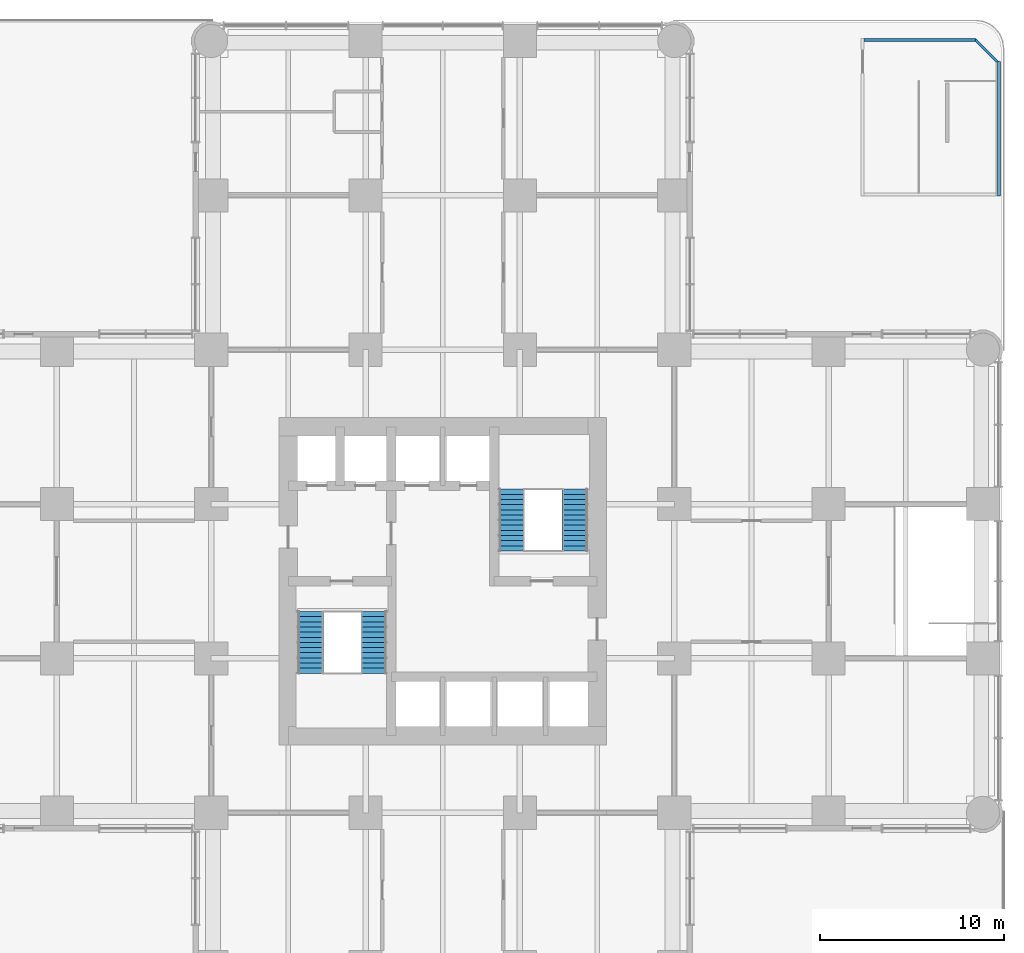
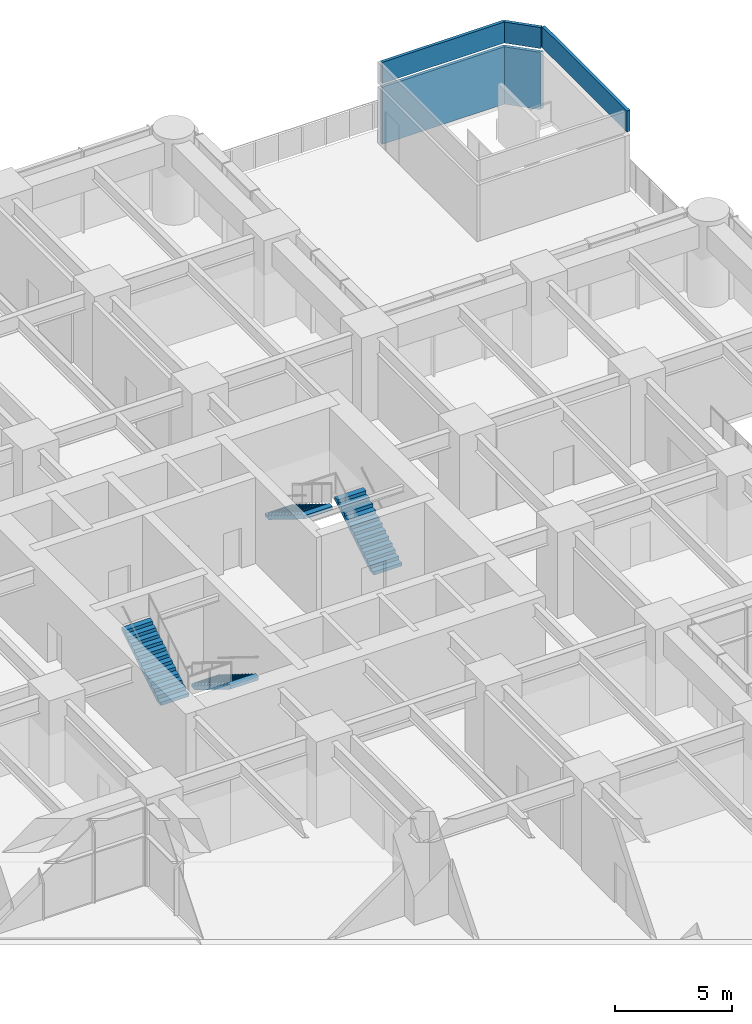
# One storey, part 13 of 21: 5 walls, 4 stair flights, 2 elements without a shape of their own.
"""IFC4 building model written with IfcOpenShell, lengths in metres."""

from ifc_helpers import new_model, si_unit, direction, frame, frame_2d, origin, place, context, subcontext, project, spatial, polyline, rectangle, outline, extrude, material, layer, layer_set, type_object, element, aggregate, save


model = new_model("IFC4")

# Units and contexts
model_context = context("Model", 3, precision=1e-05, world=origin(), true_north=direction((0.0, 1.0)))
body_context = subcontext(model_context, "Body", "Model", "MODEL_VIEW")
ifc_project = project(units=[si_unit("LENGTHUNIT", "METRE"), si_unit("AREAUNIT", "SQUARE_METRE"), si_unit("VOLUMEUNIT", "CUBIC_METRE"), si_unit("PLANEANGLEUNIT", "RADIAN"), si_unit("MASSUNIT", "GRAM", prefix="KILO")], contexts=[model_context])

# Site, building, storey
site_placement = place(None, origin())
site = spatial("IfcSite", under=ifc_project, at=site_placement, CompositionType="ELEMENT")
building_placement = place(site_placement, origin())
building = spatial("IfcBuilding", under=site, at=building_placement, Name="Torre Alcanfor", CompositionType="ELEMENT")
storey_placement = place(building_placement, frame((0.0, 0.0, 24.0)))
storey = spatial("IfcBuildingStorey", under=building, at=storey_placement, Name="L05", CompositionType="ELEMENT", Elevation=24.0)

# Walls
ifc_material_1 = material(Name="Concrete f'c 35 MPa", Category="concrete")
ifc_layer_1 = layer(ifc_material_1, 0.14990234375)
ifc_layer_set_1 = layer_set([ifc_layer_1], Name="Head-house parapet 150")
wall_type_1 = type_object("IfcWallType", Name="Head-house parapet 150", PredefinedType="PARAPET", material=ifc_layer_set_1)
wall_1_placement = place(storey_placement, frame((59.675048828125, 50.375, 3.199951171875), z_axis=(0.0, 0.0, 1.0), x_axis=(0.0, 1.0, 0.0)))
element("IfcWall", 1, at=wall_1_placement, inside=storey, type_object=wall_type_1, Name="Head-house parapet SS4 east", PredefinedType="PARAPET", context=body_context, shape_type="SweptSolid", body=[
    extrude(rectangle(XDim=7.300048828125, YDim=0.14990234375, at=frame_2d((3.64990234375, 0.0))), origin(), (0.0, 0.0, 1.0), 1.10009765625),
])
wall_2_placement = place(storey_placement, frame((59.574951171875, 57.675048828125, 3.199951171875), z_axis=(0.0, 0.0, 1.0), x_axis=(-0.707106781187, 0.707106781187, 0.0)))
element("IfcWall", 2, at=wall_2_placement, inside=storey, type_object=wall_type_1, Name="Head-house parapet SS4 north-east", PredefinedType="PARAPET", context=body_context, shape_type="SweptSolid", body=[
    extrude(rectangle(XDim=1.661865234375, YDim=0.14990234375, at=frame_2d((0.8310546875, 0.0))), origin(), (0.0, 0.0, 1.0), 1.10009765625),
])
wall_3_placement = place(storey_placement, frame((52.324951171875, 58.85009765625, 3.199951171875), z_axis=(0.0, 0.0, 1.0), x_axis=(1.0, 0.0, 0.0)))
element("IfcWall", 3, at=wall_3_placement, inside=storey, type_object=wall_type_1, Name="Head-house parapet SS4 north", PredefinedType="PARAPET", context=body_context, shape_type="SweptSolid", body=[
    extrude(rectangle(XDim=6.074951171875, YDim=0.14990234375, at=frame_2d((3.03759765625, 0.0))), origin(), (0.0, 0.0, 1.0), 1.10009765625),
])
ifc_material_2 = material(Name="Concrete f'c 35 MPa", Category="concrete")
ifc_layer_2 = layer(ifc_material_2, 0.14990234375)
ifc_layer_set_2 = layer_set([ifc_layer_2], Name="Stair head-house wall 150 EI 120")
wall_type_2 = type_object("IfcWallType", Name="Stair head-house wall 150 EI 120", PredefinedType="SOLIDWALL", material=ifc_layer_set_2)
wall_4_placement = place(storey_placement, origin())
element("IfcWall", 4, at=wall_4_placement, inside=storey, type_object=wall_type_2, Name="Stair head-house wall SS4 north-east", PredefinedType="SOLIDWALL", context=body_context, shape_type="SweptSolid", body=[
    extrude(outline(polyline([(58.39990234375, 58.925048828125), (58.39990234375, 58.77490234375), (58.368896484375, 58.77490234375), (59.5, 57.643798828125), (59.5, 57.675048828125), (59.68115234375, 57.675048828125), (58.452880859375, 58.903076171875), (58.39990234375, 58.925048828125)])), origin(), (0.0, 0.0, 1.0), 3.0),
])
wall_5_placement = place(storey_placement, frame((52.324951171875, 58.85009765625, 0.0), z_axis=(0.0, 0.0, 1.0), x_axis=(1.0, 0.0, 0.0)))
element("IfcWall", 5, at=wall_5_placement, inside=storey, type_object=wall_type_2, Name="Stair head-house wall SS4 north", PredefinedType="SOLIDWALL", context=body_context, shape_type="SweptSolid", body=[
    extrude(rectangle(XDim=6.074951171875, YDim=0.14990234375, at=frame_2d((3.03759765625, 0.0))), origin(), (0.0, 0.0, 1.0), 3.0),
])

# Stair, stair flights
ifc_material_3 = material(Name="Concrete f'c 35 MPa", Category="concrete")
stair_type_1 = type_object("IfcStairType", Name="Exit stair S1 1400 wide", PredefinedType="HALF_TURN_STAIR", material=ifc_material_3)
stair_1_placement = place(storey_placement, origin())
stair_1 = element("IfcStair", 6, at=stair_1_placement, inside=storey, type_object=stair_type_1, Name="Stair S1 L05 to L06", PredefinedType="HALF_TURN_STAIR")
ifc_material_4 = material(Name="Concrete f'c 35 MPa", Category="concrete")
stair_flight_type = type_object("IfcStairFlightType", Name="Stair flight 1400", PredefinedType="STRAIGHT", material=ifc_material_4)
stair_flight_1_placement = place(storey_placement, frame((25.64990234375, 27.75, 0.0), z_axis=(0.0, 0.0, 1.0), x_axis=(0.0, -1.0, 0.0)))
stair_flight_1 = element("IfcStairFlight", 7, at=stair_flight_1_placement, type_object=stair_flight_type, Name="S1 flight 1", NumberOfRisers=13, NumberOfTreads=12, PredefinedType="STRAIGHT", RiserHeight=0.173076923, TreadLength=0.28, context=body_context, shape_type="SweptSolid", body=[
    extrude(outline(polyline([(0.0, 0.0), (0.0, 0.173095703125), (0.280029296875, 0.173095703125), (0.280029296875, 0.34619140625), (0.56005859375, 0.34619140625), (0.56005859375, 0.519287109375), (0.840087890625, 0.519287109375), (0.840087890625, 0.6923828125), (1.1201171875, 0.6923828125), (1.1201171875, 0.865478515625), (1.39990234375, 0.865478515625), (1.39990234375, 1.03857421875), (1.679931640625, 1.03857421875), (1.679931640625, 1.21142578125), (1.9599609375, 1.21142578125), (1.9599609375, 1.384521484375), (2.239990234375, 1.384521484375), (2.239990234375, 1.5576171875), (2.52001953125, 1.5576171875), (2.52001953125, 1.730712890625), (2.800048828125, 1.730712890625), (2.800048828125, 1.90380859375), (3.080078125, 1.90380859375), (3.080078125, 2.076904296875), (3.360107421875, 2.076904296875), (3.360107421875, 2.25), (3.360107421875, 1.900634765625), (0.28515625, 0.0), (0.0, 0.0)])), frame((0.0, 0.699951171875, 0.0), z_axis=(0.0, -1.0, 0.0), x_axis=(1.0, 0.0, 0.0)), (0.0, 0.0, 1.0), 1.39990234375),
])
stair_flight_2_placement = place(storey_placement, frame((22.199951171875, 24.389892578125, 2.25), z_axis=(0.0, 0.0, 1.0), x_axis=(0.0, 1.0, 0.0)))
stair_flight_2 = element("IfcStairFlight", 8, at=stair_flight_2_placement, type_object=stair_flight_type, Name="S1 flight 2", NumberOfRisers=13, NumberOfTreads=12, PredefinedType="STRAIGHT", RiserHeight=0.173076923, TreadLength=0.28, context=body_context, shape_type="SweptSolid", body=[
    extrude(outline(polyline([(0.0, 0.0), (0.0, 0.173095703125), (0.280029296875, 0.173095703125), (0.280029296875, 0.34619140625), (0.56005859375, 0.34619140625), (0.56005859375, 0.519287109375), (0.840087890625, 0.519287109375), (0.840087890625, 0.6923828125), (1.1201171875, 0.6923828125), (1.1201171875, 0.865478515625), (1.39990234375, 0.865478515625), (1.39990234375, 1.03857421875), (1.679931640625, 1.03857421875), (1.679931640625, 1.21142578125), (1.9599609375, 1.21142578125), (1.9599609375, 1.384521484375), (2.239990234375, 1.384521484375), (2.239990234375, 1.5576171875), (2.52001953125, 1.5576171875), (2.52001953125, 1.730712890625), (2.800048828125, 1.730712890625), (2.800048828125, 1.90380859375), (3.080078125, 1.90380859375), (3.080078125, 2.076904296875), (3.360107421875, 2.076904296875), (3.360107421875, 2.25), (3.360107421875, 1.900634765625), (0.28515625, 0.0), (0.0, 0.0)])), frame((0.0, 0.699951171875, 0.0), z_axis=(0.0, -1.0, 0.0), x_axis=(1.0, 0.0, 0.0)), (0.0, 0.0, 1.0), 1.39990234375),
])
aggregate(stair_1, [stair_flight_1, stair_flight_2])

ifc_material_5 = material(Name="Concrete f'c 35 MPa", Category="concrete")
stair_type_2 = type_object("IfcStairType", Name="Exit stair S2 1400 wide", PredefinedType="HALF_TURN_STAIR", material=ifc_material_5)
stair_2_placement = place(storey_placement, origin())
stair_2 = element("IfcStair", 9, at=stair_2_placement, inside=storey, type_object=stair_type_2, Name="Stair S2 L05 to L06", PredefinedType="HALF_TURN_STAIR")
stair_flight_3_placement = place(storey_placement, frame((36.60009765625, 31.050048828125, 0.0), z_axis=(0.0, 0.0, 1.0), x_axis=(0.0, 1.0, 0.0)))
stair_flight_3 = element("IfcStairFlight", 10, at=stair_flight_3_placement, type_object=stair_flight_type, Name="S2 flight 1", NumberOfRisers=13, NumberOfTreads=12, PredefinedType="STRAIGHT", RiserHeight=0.173076923, TreadLength=0.28, context=body_context, shape_type="SweptSolid", body=[
    extrude(outline(polyline([(0.0, 0.0), (0.0, 0.173095703125), (0.280029296875, 0.173095703125), (0.280029296875, 0.34619140625), (0.56005859375, 0.34619140625), (0.56005859375, 0.519287109375), (0.840087890625, 0.519287109375), (0.840087890625, 0.6923828125), (1.1201171875, 0.6923828125), (1.1201171875, 0.865478515625), (1.39990234375, 0.865478515625), (1.39990234375, 1.03857421875), (1.679931640625, 1.03857421875), (1.679931640625, 1.21142578125), (1.9599609375, 1.21142578125), (1.9599609375, 1.384521484375), (2.239990234375, 1.384521484375), (2.239990234375, 1.5576171875), (2.52001953125, 1.5576171875), (2.52001953125, 1.730712890625), (2.800048828125, 1.730712890625), (2.800048828125, 1.90380859375), (3.080078125, 1.90380859375), (3.080078125, 2.076904296875), (3.360107421875, 2.076904296875), (3.360107421875, 2.25), (3.360107421875, 1.900634765625), (0.28515625, 0.0), (0.0, 0.0)])), frame((0.0, 0.699951171875, 0.0), z_axis=(0.0, -1.0, 0.0), x_axis=(1.0, 0.0, 0.0)), (0.0, 0.0, 1.0), 1.39990234375),
])
stair_flight_4_placement = place(storey_placement, frame((33.14990234375, 34.409912109375, 2.25), z_axis=(0.0, 0.0, 1.0), x_axis=(0.0, -1.0, 0.0)))
stair_flight_4 = element("IfcStairFlight", 11, at=stair_flight_4_placement, type_object=stair_flight_type, Name="S2 flight 2", NumberOfRisers=13, NumberOfTreads=12, PredefinedType="STRAIGHT", RiserHeight=0.173076923, TreadLength=0.28, context=body_context, shape_type="SweptSolid", body=[
    extrude(outline(polyline([(0.0, 0.0), (0.0, 0.173095703125), (0.280029296875, 0.173095703125), (0.280029296875, 0.34619140625), (0.56005859375, 0.34619140625), (0.56005859375, 0.519287109375), (0.840087890625, 0.519287109375), (0.840087890625, 0.6923828125), (1.1201171875, 0.6923828125), (1.1201171875, 0.865478515625), (1.39990234375, 0.865478515625), (1.39990234375, 1.03857421875), (1.679931640625, 1.03857421875), (1.679931640625, 1.21142578125), (1.9599609375, 1.21142578125), (1.9599609375, 1.384521484375), (2.239990234375, 1.384521484375), (2.239990234375, 1.5576171875), (2.52001953125, 1.5576171875), (2.52001953125, 1.730712890625), (2.800048828125, 1.730712890625), (2.800048828125, 1.90380859375), (3.080078125, 1.90380859375), (3.080078125, 2.076904296875), (3.360107421875, 2.076904296875), (3.360107421875, 2.25), (3.360107421875, 1.900634765625), (0.28515625, 0.0), (0.0, 0.0)])), frame((0.0, 0.699951171875, 0.0), z_axis=(0.0, -1.0, 0.0), x_axis=(1.0, 0.0, 0.0)), (0.0, 0.0, 1.0), 1.39990234375),
])
aggregate(stair_2, [stair_flight_3, stair_flight_4])

save(model, "model.ifc")
